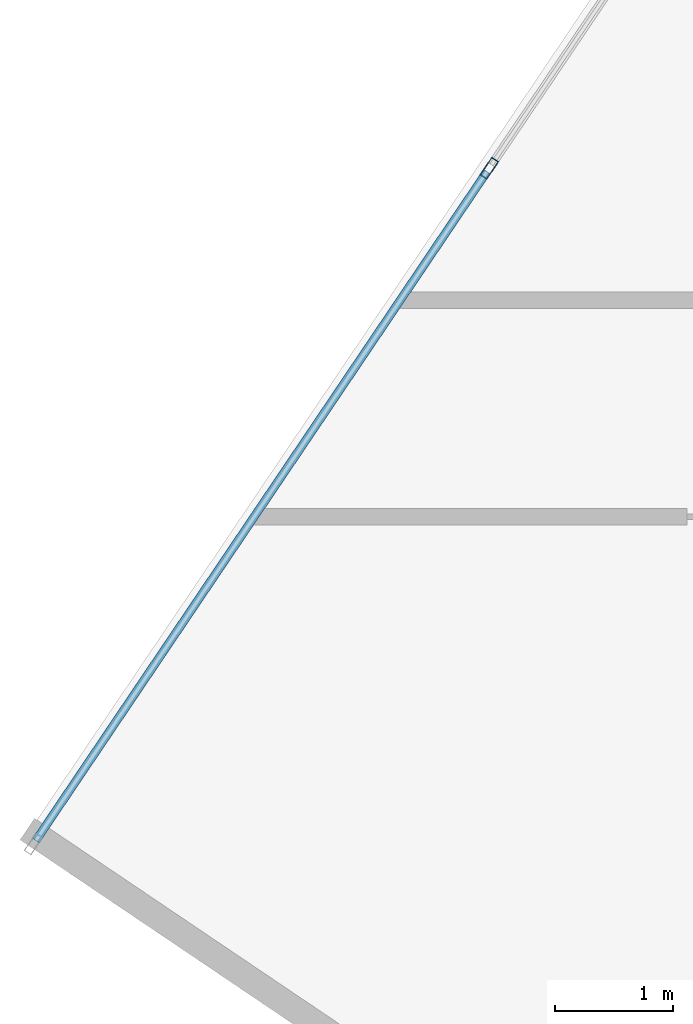
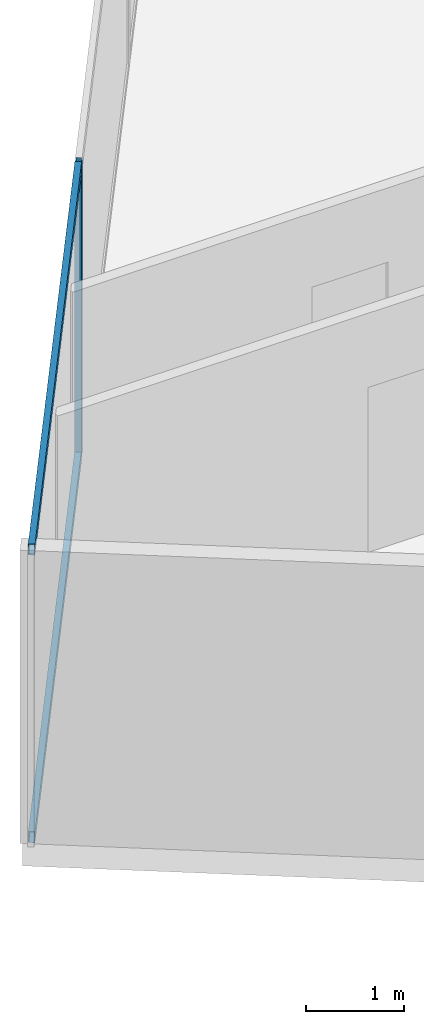
# One storey, part 7 of 27: 3 members, 1 element without a shape of its own.
"""IFC4 building model written with IfcOpenShell, lengths in metres."""

from ifc_helpers import new_model, si_unit, direction, frame, origin, origin_2d, place, context, subcontext, project, spatial, hollow_rectangle, extrude, source, transform, mapped, material, material_profile, profile_set, type_object, type_shapes, element, aggregate, save


model = new_model("IFC4")

# Units and contexts
model_context = context("Model", 3, precision=1e-05, world=origin(), true_north=direction((0.0, 1.0)))
body_context = subcontext(model_context, "Body", "Model", "MODEL_VIEW")
ifc_project = project(units=[si_unit("LENGTHUNIT", "METRE"), si_unit("AREAUNIT", "SQUARE_METRE"), si_unit("VOLUMEUNIT", "CUBIC_METRE"), si_unit("PLANEANGLEUNIT", "RADIAN"), si_unit("MASSUNIT", "GRAM", prefix="KILO")], contexts=[model_context])

# Site, building, storey
site_placement = place(None, origin())
site = spatial("IfcSite", under=ifc_project, at=site_placement, CompositionType="ELEMENT")
building_placement = place(site_placement, origin())
building = spatial("IfcBuilding", under=site, at=building_placement, Name="Krantzveldt Concourse Tower", CompositionType="ELEMENT")
storey_placement = place(building_placement, frame((0.0, 0.0, 189.64990234375)))
storey = spatial("IfcBuildingStorey", under=building, at=storey_placement, Name="L46", CompositionType="ELEMENT", Elevation=189.64990234375)

# Curtain wall, members
ifc_material = material(Name="Anodised aluminium 6063-T6", Category="aluminium")
curtain_wall_type = type_object("IfcCurtainWallType", Name="CW3", PredefinedType="USERDEFINED", material=ifc_material)
curtain_wall_placement = place(storey_placement, origin())
curtain_wall = element("IfcCurtainWall", 1, at=curtain_wall_placement, inside=storey, type_object=curtain_wall_type, Name="CW-L46-F01", ObjectType="UNITISED CURTAIN WALL", PredefinedType="USERDEFINED")
ifc_material_profile_1 = material_profile(ifc_material, hollow_rectangle(XDim=0.070068359375, YDim=0.179931640625, WallThickness=0.0048828125, at=origin_2d()), Name="Anodised aluminium 6063-T6", Category="aluminium")
ifc_profile_set_1 = profile_set([ifc_material_profile_1], Name="Anodised aluminium 6063-T6 - ALU-MULL 180x70x5")
member_type_1 = type_object("IfcMemberType", Name="CW-MUL-180", PredefinedType="MULLION", material=ifc_profile_set_1)
shared_shape_1 = source(origin(), body_context, "Body", "SweptSolid", [
    extrude(hollow_rectangle(XDim=0.070068359375, YDim=0.179931640625, WallThickness=0.0048828125, at=origin_2d()), origin(), (0.0, 0.0, 1.0), 3.670166015625),
])
type_shapes(member_type_1, [shared_shape_1])
member_1_placement = place(storey_placement, frame((12.080810546875, 30.24072265625, 0.0), z_axis=(0.0, 0.0, 1.0), x_axis=(0.829037635301, -0.559192810447, 0.0)))
member_1 = element("IfcMember", 2, at=member_1_placement, type_object=member_type_1, Name="CW-Z34 mullion 5", PredefinedType="MULLION", context=body_context, shape_type="MappedRepresentation", body=[
    mapped(shared_shape_1, transform((0.0, 0.0, 0.0), x_axis=(1.0, 0.0, 0.0), y_axis=(0.0, 1.0, 0.0), z_axis=(0.0, 0.0, 1.0), scale=1.0)),
])
ifc_material_profile_2 = material_profile(ifc_material, hollow_rectangle(XDim=0.070068359375, YDim=0.139892578125, WallThickness=0.0048828125, at=origin_2d()), Name="Anodised aluminium 6063-T6", Category="aluminium")
ifc_profile_set_2 = profile_set([ifc_material_profile_2], Name="Anodised aluminium 6063-T6 - ALU-TRAN 140x70x5")
member_type_2 = type_object("IfcMemberType", Name="CW-TRN-150", PredefinedType="USERDEFINED", material=ifc_profile_set_2)
shared_shape_2 = source(origin(), body_context, "Body", "SweptSolid", [
    extrude(hollow_rectangle(XDim=0.070068359375, YDim=0.139892578125, WallThickness=0.0048828125, at=origin_2d()), origin(), (0.0, 0.0, 1.0), 6.85498046875),
])
type_shapes(member_type_2, [shared_shape_2])
member_2_placement = place(storey_placement, frame((12.06103515625, 30.2119140625, 0.03515625), z_axis=(-0.559187781281, -0.829041027493, 0.0), x_axis=(0.829041027493, -0.559187781281, 0.0)))
member_2 = element("IfcMember", 3, at=member_2_placement, type_object=member_type_2, Name="CW-Z34 transom 5.1", ObjectType="TRANSOM", PredefinedType="USERDEFINED", context=body_context, shape_type="MappedRepresentation", body=[
    mapped(shared_shape_2, transform((0.0, 0.0, 0.0), x_axis=(1.0, 0.0, 0.0), y_axis=(0.0, 1.0, 0.0), z_axis=(0.0, 0.0, 1.0), scale=1.0)),
])
member_3_placement = place(storey_placement, frame((12.06103515625, 30.2119140625, 3.635009765625), z_axis=(-0.559187781281, -0.829041027493, 0.0), x_axis=(0.829041027493, -0.559187781281, 0.0)))
member_3 = element("IfcMember", 4, at=member_3_placement, type_object=member_type_2, Name="CW-Z34 transom 5.2", ObjectType="TRANSOM", PredefinedType="USERDEFINED", context=body_context, shape_type="MappedRepresentation", body=[
    mapped(shared_shape_2, transform((0.0, 0.0, 0.0), x_axis=(1.0, 0.0, 0.0), y_axis=(0.0, 1.0, 0.0), z_axis=(0.0, 0.0, 1.0), scale=1.0)),
])
aggregate(curtain_wall, [member_1, member_2, member_3])

save(model, "model.ifc")
